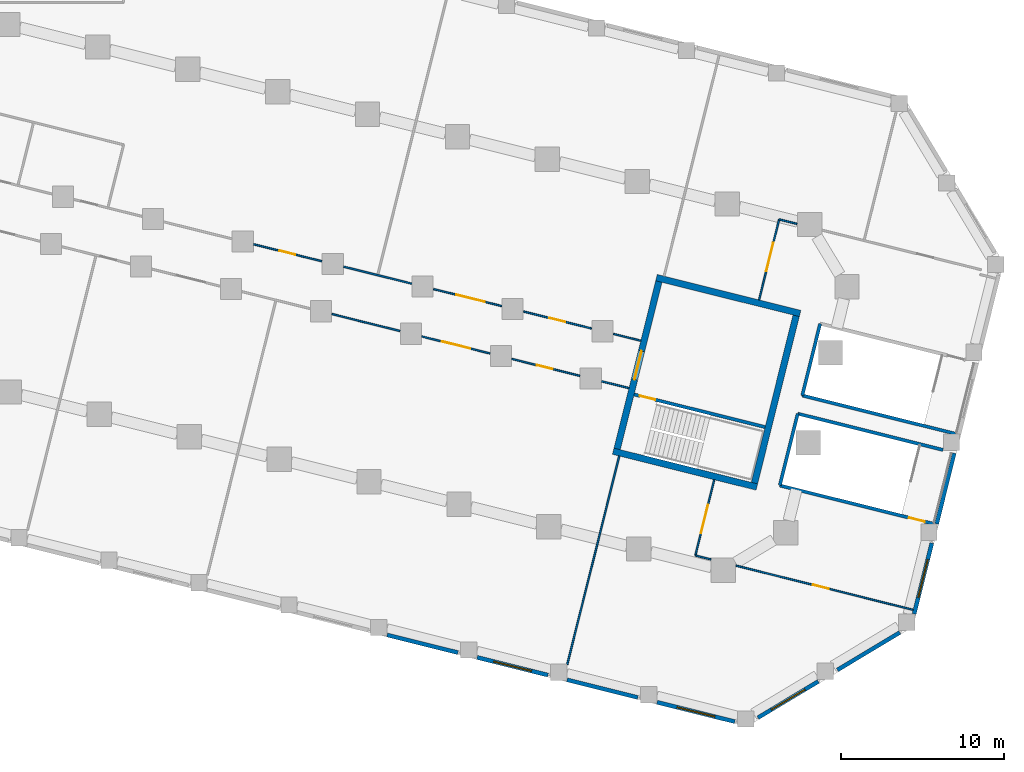
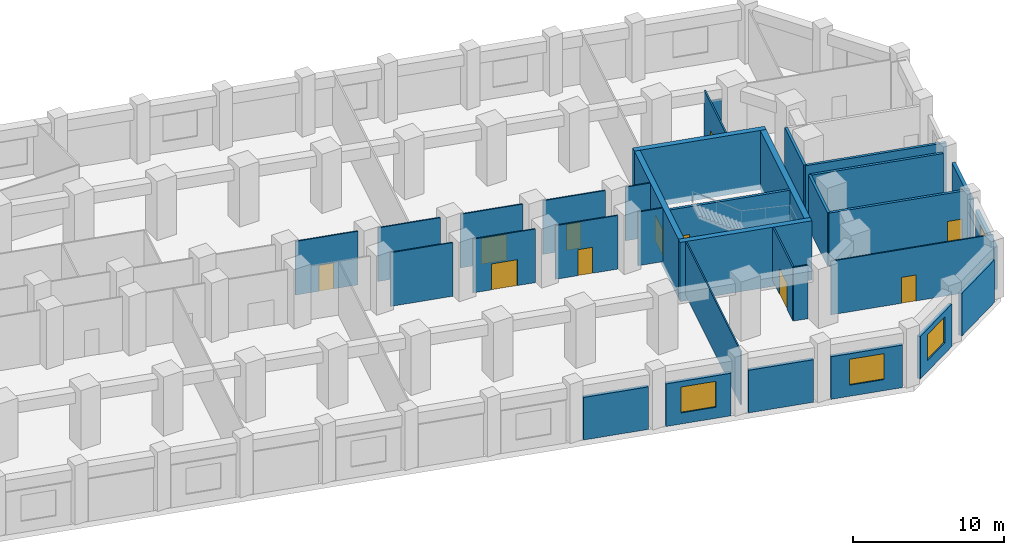
# One storey, part 7 of 13: 33 walls, 11 doors, 4 windows, 15 openings.
"""IFC4 building model written with IfcOpenShell, lengths in metres."""

from ifc_helpers import new_model, si_unit, direction, frame, frame_2d, origin, place, context, subcontext, project, spatial, rectangle, extrude, material, layer, layer_set, type_object, element, fill, save


model = new_model("IFC4")

# Units and contexts
model_context = context("Model", 3, precision=1e-05, world=origin(), true_north=direction((0.0, 1.0)))
body_context = subcontext(model_context, "Body", "Model", "MODEL_VIEW")
ifc_project = project(units=[si_unit("LENGTHUNIT", "METRE"), si_unit("AREAUNIT", "SQUARE_METRE"), si_unit("VOLUMEUNIT", "CUBIC_METRE"), si_unit("PLANEANGLEUNIT", "RADIAN"), si_unit("MASSUNIT", "GRAM", prefix="KILO")], contexts=[model_context])

# Site, building, storey
site_placement = place(None, origin())
site = spatial("IfcSite", under=ifc_project, at=site_placement, CompositionType="ELEMENT")
building_placement = place(site_placement, origin())
building = spatial("IfcBuilding", under=site, at=building_placement, Name="Meshkara Civic Tower", CompositionType="ELEMENT")
storey_placement = place(building_placement, frame((0.0, 0.0, 28.199951171875)))
storey = spatial("IfcBuildingStorey", under=building, at=storey_placement, Name="L05", CompositionType="ELEMENT", Elevation=28.199951171875)

# Wall, opening, door
ifc_material_1 = material(Name="Corridor wall 100")
ifc_layer_1 = layer(ifc_material_1, 0.10009765625)
ifc_layer_set_1 = layer_set([ifc_layer_1], Name="Corridor wall 100")
wall_type_1 = type_object("IfcWallType", Name="Corridor wall 100", PredefinedType="PARTITIONING", material=ifc_layer_set_1)
wall_1_placement = place(storey_placement, frame((58.194091796875, -1.214111328125, 0.0), z_axis=(0.0, 0.0, 1.0), x_axis=(-0.970325134426, 0.241803915396, 0.0)))
wall_1 = element("IfcWall", 1, at=wall_1_placement, inside=storey, type_object=wall_type_1, Name="L05-R060", PredefinedType="PARTITIONING", context=body_context, shape_type="SweptSolid", body=[
    extrude(rectangle(XDim=4.318359375, YDim=0.10009765625, at=frame_2d((2.1591796875, 0.0))), origin(), (0.0, 0.0, 1.0), 4.35009765625),
])
opening_1_placement = place(wall_1_placement, frame((1.679931640625, 0.0, 0.0)))
opening_1 = element("IfcOpeningElement", 2, at=opening_1_placement, cuts=wall_1, Name="Opening L05-P010", PredefinedType="OPENING", context=body_context, shape_type="SweptSolid", body=[
    extrude(rectangle(XDim=1.0, YDim=2.10009765625, at=frame_2d((0.5, 1.050048828125))), frame((0.0, 0.06005859375, 0.0), z_axis=(0.0, -1.0, 0.0), x_axis=(1.0, 0.0, 0.0)), (0.0, 0.0, 1.0), 0.1201171875),
])
ifc_material_2 = material(Name="Door 1000 x 2100")
door_type_1 = type_object("IfcDoorType", Name="Door 1000 x 2100", OperationType="SINGLE_SWING_LEFT", PredefinedType="DOOR", material=ifc_material_2)
door_1_placement = place(opening_1_placement, origin())
door_1 = element("IfcDoor", 3, at=door_1_placement, inside=storey, type_object=door_type_1, Name="L05-P010", OperationType="SINGLE_SWING_LEFT", OverallHeight=2.10009765625, OverallWidth=1.0, PredefinedType="DOOR", context=body_context, shape_type="SweptSolid", body=[
    extrude(rectangle(XDim=1.0, YDim=2.10009765625, at=frame_2d((0.5, 1.050048828125))), frame((0.0, 0.02490234375, 0.0), z_axis=(0.0, -1.0, 0.0), x_axis=(1.0, 0.0, 0.0)), (0.0, 0.0, 1.0), 0.050048828125),
])
fill(opening_1, door_1)

# Walls
wall_2_placement = place(storey_placement, frame((58.80908203125, -4.4599609375, 0.0), z_axis=(0.0, 0.0, 1.0), x_axis=(0.970335093604, -0.241763947107, 0.0)))
element("IfcWall", 4, at=wall_2_placement, inside=storey, type_object=wall_type_1, Name="L05-R061", PredefinedType="PARTITIONING", context=body_context, shape_type="SweptSolid", body=[
    extrude(rectangle(XDim=4.318115234375, YDim=0.10009765625, at=frame_2d((2.1591796875, 0.0))), origin(), (0.0, 0.0, 1.0), 4.35009765625),
])
wall_3_placement = place(storey_placement, frame((59.533935546875, -1.548095703125, 0.0), z_axis=(0.0, 0.0, 1.0), x_axis=(0.970298563138, -0.241910517285, 0.0)))
element("IfcWall", 5, at=wall_3_placement, inside=storey, type_object=wall_type_1, Name="L05-R062", PredefinedType="PARTITIONING", context=body_context, shape_type="SweptSolid", body=[
    extrude(rectangle(XDim=4.3193359375, YDim=0.10009765625, at=frame_2d((2.15966796875, 0.0))), origin(), (0.0, 0.0, 1.0), 4.35009765625),
])

# Wall, opening, door
wall_4_placement = place(storey_placement, frame((64.339111328125, -5.839111328125, 0.0), z_axis=(0.0, 0.0, 1.0), x_axis=(0.970348308202, -0.24171090329, 0.0)))
wall_4 = element("IfcWall", 6, at=wall_4_placement, inside=storey, type_object=wall_type_1, Name="L05-R063", PredefinedType="PARTITIONING", context=body_context, shape_type="SweptSolid", body=[
    extrude(rectangle(XDim=4.319091796875, YDim=0.10009765625, at=frame_2d((2.15966796875, 0.0))), origin(), (0.0, 0.0, 1.0), 4.35009765625),
])
opening_2_placement = place(wall_4_placement, frame((1.280029296875, 0.0, 0.0)))
opening_2 = element("IfcOpeningElement", 7, at=opening_2_placement, cuts=wall_4, Name="Opening L05-P004", PredefinedType="OPENING", context=body_context, shape_type="SweptSolid", body=[
    extrude(rectangle(XDim=1.800048828125, YDim=2.10009765625, at=frame_2d((0.89990234375, 1.050048828125))), frame((0.0, 0.06005859375, 0.0), z_axis=(0.0, -1.0, 0.0), x_axis=(1.0, 0.0, 0.0)), (0.0, 0.0, 1.0), 0.1201171875),
])
ifc_material_3 = material(Name="Door pair 1800 x 2100")
door_type_2 = type_object("IfcDoorType", Name="Door pair 1800 x 2100", OperationType="SINGLE_SWING_LEFT", PredefinedType="DOOR", material=ifc_material_3)
door_2_placement = place(opening_2_placement, origin())
door_2 = element("IfcDoor", 8, at=door_2_placement, inside=storey, type_object=door_type_2, Name="L05-P004", OperationType="DOUBLE_DOOR_SINGLE_SWING", OverallHeight=2.10009765625, OverallWidth=1.800048828125, PredefinedType="DOOR", context=body_context, shape_type="SweptSolid", body=[
    extrude(rectangle(XDim=1.800048828125, YDim=2.10009765625, at=frame_2d((0.89990234375, 1.050048828125))), frame((0.0, 0.02490234375, 0.0), z_axis=(0.0, -1.0, 0.0), x_axis=(1.0, 0.0, 0.0)), (0.0, 0.0, 1.0), 0.050048828125),
])
fill(opening_2, door_2)

wall_5_placement = place(storey_placement, frame((69.256103515625, -3.971923828125, 0.0), z_axis=(0.0, 0.0, 1.0), x_axis=(-0.970298563138, 0.241910517285, 0.0)))
wall_5 = element("IfcWall", 9, at=wall_5_placement, inside=storey, type_object=wall_type_1, Name="L05-R064", PredefinedType="PARTITIONING", context=body_context, shape_type="SweptSolid", body=[
    extrude(rectangle(XDim=4.3193359375, YDim=0.10009765625, at=frame_2d((2.15966796875, 0.0))), origin(), (0.0, 0.0, 1.0), 4.35009765625),
])
opening_3_placement = place(wall_5_placement, frame((1.080078125, 0.0, 0.0)))
opening_3 = element("IfcOpeningElement", 10, at=opening_3_placement, cuts=wall_5, Name="Opening L05-P011", PredefinedType="OPENING", context=body_context, shape_type="SweptSolid", body=[
    extrude(rectangle(XDim=1.800048828125, YDim=2.10009765625, at=frame_2d((0.89990234375, 1.050048828125))), frame((0.0, 0.06005859375, 0.0), z_axis=(0.0, -1.0, 0.0), x_axis=(1.0, 0.0, 0.0)), (0.0, 0.0, 1.0), 0.1201171875),
])
door_3_placement = place(opening_3_placement, origin())
door_3 = element("IfcDoor", 11, at=door_3_placement, inside=storey, type_object=door_type_2, Name="L05-P011", OperationType="DOUBLE_DOOR_SINGLE_SWING", OverallHeight=2.10009765625, OverallWidth=1.800048828125, PredefinedType="DOOR", context=body_context, shape_type="SweptSolid", body=[
    extrude(rectangle(XDim=1.800048828125, YDim=2.10009765625, at=frame_2d((0.89990234375, 1.050048828125))), frame((0.0, 0.02490234375, 0.0), z_axis=(0.0, -1.0, 0.0), x_axis=(1.0, 0.0, 0.0)), (0.0, 0.0, 1.0), 0.050048828125),
])
fill(opening_3, door_3)

wall_6_placement = place(storey_placement, frame((69.8701171875, -7.218017578125, 0.0), z_axis=(0.0, 0.0, 1.0), x_axis=(0.970295255208, -0.241923784941, 0.0)))
wall_6 = element("IfcWall", 12, at=wall_6_placement, inside=storey, type_object=wall_type_1, Name="L05-R065", PredefinedType="PARTITIONING", context=body_context, shape_type="SweptSolid", body=[
    extrude(rectangle(XDim=4.3193359375, YDim=0.10009765625, at=frame_2d((2.15966796875, 0.0))), origin(), (0.0, 0.0, 1.0), 4.35009765625),
])
opening_4_placement = place(wall_6_placement, frame((1.580078125, 0.0, 0.0)))
opening_4 = element("IfcOpeningElement", 13, at=opening_4_placement, cuts=wall_6, Name="Opening L05-P005", PredefinedType="OPENING", context=body_context, shape_type="SweptSolid", body=[
    extrude(rectangle(XDim=1.0, YDim=2.10009765625, at=frame_2d((0.5, 1.050048828125))), frame((0.0, 0.06005859375, 0.0), z_axis=(0.0, -1.0, 0.0), x_axis=(1.0, 0.0, 0.0)), (0.0, 0.0, 1.0), 0.1201171875),
])
door_4_placement = place(opening_4_placement, origin())
door_4 = element("IfcDoor", 14, at=door_4_placement, inside=storey, type_object=door_type_1, Name="L05-P005", OperationType="SINGLE_SWING_LEFT", OverallHeight=2.10009765625, OverallWidth=1.0, PredefinedType="DOOR", context=body_context, shape_type="SweptSolid", body=[
    extrude(rectangle(XDim=1.0, YDim=2.10009765625, at=frame_2d((0.5, 1.050048828125))), frame((0.0, 0.02490234375, 0.0), z_axis=(0.0, -1.0, 0.0), x_axis=(1.0, 0.0, 0.0)), (0.0, 0.0, 1.0), 0.050048828125),
])
fill(opening_4, door_4)

wall_7_placement = place(storey_placement, frame((74.785888671875, -5.35107421875, 0.0), z_axis=(0.0, 0.0, 1.0), x_axis=(-0.970321828551, 0.241817181023, 0.0)))
wall_7 = element("IfcWall", 15, at=wall_7_placement, inside=storey, type_object=wall_type_1, Name="L05-R066", PredefinedType="PARTITIONING", context=body_context, shape_type="SweptSolid", body=[
    extrude(rectangle(XDim=4.318115234375, YDim=0.10009765625, at=frame_2d((2.1591796875, 0.0))), origin(), (0.0, 0.0, 1.0), 4.35009765625),
])
opening_5_placement = place(wall_7_placement, frame((1.679931640625, 0.0, 0.0)))
opening_5 = element("IfcOpeningElement", 16, at=opening_5_placement, cuts=wall_7, Name="Opening L05-P012", PredefinedType="OPENING", context=body_context, shape_type="SweptSolid", body=[
    extrude(rectangle(XDim=1.0, YDim=2.10009765625, at=frame_2d((0.5, 1.050048828125))), frame((0.0, 0.06005859375, 0.0), z_axis=(0.0, -1.0, 0.0), x_axis=(1.0, 0.0, 0.0)), (0.0, 0.0, 1.0), 0.1201171875),
])
door_5_placement = place(opening_5_placement, origin())
door_5 = element("IfcDoor", 17, at=door_5_placement, inside=storey, type_object=door_type_1, Name="L05-P012", OperationType="SINGLE_SWING_RIGHT", OverallHeight=2.10009765625, OverallWidth=1.0, PredefinedType="DOOR", context=body_context, shape_type="SweptSolid", body=[
    extrude(rectangle(XDim=1.0, YDim=2.10009765625, at=frame_2d((0.5, 1.050048828125))), frame((0.0, 0.02490234375, 0.0), z_axis=(0.0, -1.0, 0.0), x_axis=(1.0, 0.0, 0.0)), (0.0, 0.0, 1.0), 0.050048828125),
])
fill(opening_5, door_5)

# Walls
wall_8_placement = place(storey_placement, frame((75.40087890625, -8.596923828125, 0.0), z_axis=(0.0, 0.0, 1.0), x_axis=(0.970358012919, -0.241671940372, 0.0)))
element("IfcWall", 18, at=wall_8_placement, inside=storey, type_object=wall_type_1, Name="L05-R067", PredefinedType="PARTITIONING", context=body_context, shape_type="SweptSolid", body=[
    extrude(rectangle(XDim=1.7294921875, YDim=0.10009765625, at=frame_2d((0.86474609375, 0.0))), origin(), (0.0, 0.0, 1.0), 4.35009765625),
])
wall_9_placement = place(storey_placement, frame((77.804931640625, -6.10400390625, 0.0), z_axis=(0.0, 0.0, 1.0), x_axis=(-0.97025029366, 0.242104043031, 0.0)))
element("IfcWall", 19, at=wall_9_placement, inside=storey, type_object=wall_type_1, Name="L05-R068", PredefinedType="PARTITIONING", context=body_context, shape_type="SweptSolid", body=[
    extrude(rectangle(XDim=1.73046875, YDim=0.10009765625, at=frame_2d((0.865234375, 0.0))), origin(), (0.0, 0.0, 1.0), 4.35009765625),
])
wall_10_placement = place(storey_placement, frame((81.159912109375, -19.30810546875, 0.0), z_axis=(0.0, 0.0, 1.0), x_axis=(0.970258747404, -0.242070161495, 0.0)))
element("IfcWall", 20, at=wall_10_placement, inside=storey, type_object=wall_type_1, Name="L05-R069", PredefinedType="PARTITIONING", context=body_context, shape_type="SweptSolid", body=[
    extrude(rectangle(XDim=0.9873046875, YDim=0.10009765625, at=frame_2d((0.49365234375, 0.0))), origin(), (0.0, 0.0, 1.0), 4.35009765625),
])

# Wall, opening, door
wall_11_placement = place(storey_placement, frame((82.321044921875, -14.65087890625, 0.0), z_axis=(0.0, 0.0, 1.0), x_axis=(-0.241913228726, -0.970297887129, 0.0)))
wall_11 = element("IfcWall", 21, at=wall_11_placement, inside=storey, type_object=wall_type_1, Name="L05-R070", PredefinedType="PARTITIONING", context=body_context, shape_type="SweptSolid", body=[
    extrude(rectangle(XDim=4.7998046875, YDim=0.10009765625, at=frame_2d((2.39990234375, 0.0))), origin(), (0.0, 0.0, 1.0), 4.35009765625),
])
opening_6_placement = place(wall_11_placement, frame((1.580078125, 0.0, 0.0)))
opening_6 = element("IfcOpeningElement", 22, at=opening_6_placement, cuts=wall_11, Name="Opening L05-P002", PredefinedType="OPENING", context=body_context, shape_type="SweptSolid", body=[
    extrude(rectangle(XDim=1.800048828125, YDim=2.10009765625, at=frame_2d((0.89990234375, 1.050048828125))), frame((0.0, 0.06005859375, 0.0), z_axis=(0.0, -1.0, 0.0), x_axis=(1.0, 0.0, 0.0)), (0.0, 0.0, 1.0), 0.1201171875),
])
door_6_placement = place(opening_6_placement, origin())
door_6 = element("IfcDoor", 23, at=door_6_placement, inside=storey, type_object=door_type_2, Name="L05-P002", OperationType="DOUBLE_DOOR_SINGLE_SWING", OverallHeight=2.10009765625, OverallWidth=1.800048828125, PredefinedType="DOOR", context=body_context, shape_type="SweptSolid", body=[
    extrude(rectangle(XDim=1.800048828125, YDim=2.10009765625, at=frame_2d((0.89990234375, 1.050048828125))), frame((0.0, 0.02490234375, 0.0), z_axis=(0.0, -1.0, 0.0), x_axis=(1.0, 0.0, 0.0)), (0.0, 0.0, 1.0), 0.050048828125),
])
fill(opening_6, door_6)

wall_12_placement = place(storey_placement, frame((83.657958984375, -19.930908203125, 0.0), z_axis=(0.0, 0.0, 1.0), x_axis=(0.970304770319, -0.241885619034, 0.0)))
wall_12 = element("IfcWall", 24, at=wall_12_placement, inside=storey, type_object=wall_type_1, Name="L05-R071", PredefinedType="PARTITIONING", context=body_context, shape_type="SweptSolid", body=[
    extrude(rectangle(XDim=11.224609375, YDim=0.10009765625, at=frame_2d((5.6123046875, 0.0))), origin(), (0.0, 0.0, 1.0), 4.35009765625),
])
opening_7_placement = place(wall_12_placement, frame((4.8798828125, 0.0, 0.0)))
opening_7 = element("IfcOpeningElement", 25, at=opening_7_placement, cuts=wall_12, Name="Opening L05-P001", PredefinedType="OPENING", context=body_context, shape_type="SweptSolid", body=[
    extrude(rectangle(XDim=1.0, YDim=2.10009765625, at=frame_2d((0.5, 1.050048828125))), frame((0.0, 0.06005859375, 0.0), z_axis=(0.0, -1.0, 0.0), x_axis=(1.0, 0.0, 0.0)), (0.0, 0.0, 1.0), 0.1201171875),
])
door_7_placement = place(opening_7_placement, origin())
door_7 = element("IfcDoor", 26, at=door_7_placement, inside=storey, type_object=door_type_1, Name="L05-P001", OperationType="SINGLE_SWING_RIGHT", OverallHeight=2.10009765625, OverallWidth=1.0, PredefinedType="DOOR", context=body_context, shape_type="SweptSolid", body=[
    extrude(rectangle(XDim=1.0, YDim=2.10009765625, at=frame_2d((0.5, 1.050048828125))), frame((0.0, 0.02490234375, 0.0), z_axis=(0.0, -1.0, 0.0), x_axis=(1.0, 0.0, 0.0)), (0.0, 0.0, 1.0), 0.050048828125),
])
fill(opening_7, door_7)

wall_13_placement = place(storey_placement, frame((86.31298828125, 1.35888671875, 0.0), z_axis=(0.0, 0.0, 1.0), x_axis=(-0.241961080538, -0.970285955533, 0.0)))
wall_13 = element("IfcWall", 27, at=wall_13_placement, inside=storey, type_object=wall_type_1, Name="L05-R072", PredefinedType="PARTITIONING", context=body_context, shape_type="SweptSolid", body=[
    extrude(rectangle(XDim=5.099609375, YDim=0.10009765625, at=frame_2d((2.5498046875, 0.0))), origin(), (0.0, 0.0, 1.0), 4.35009765625),
])
opening_8_placement = place(wall_13_placement, frame((1.47998046875, 0.0, 0.0)))
opening_8 = element("IfcOpeningElement", 28, at=opening_8_placement, cuts=wall_13, Name="Opening L05-P013", PredefinedType="OPENING", context=body_context, shape_type="SweptSolid", body=[
    extrude(rectangle(XDim=1.800048828125, YDim=2.10009765625, at=frame_2d((0.89990234375, 1.050048828125))), frame((0.0, 0.06005859375, 0.0), z_axis=(0.0, -1.0, 0.0), x_axis=(1.0, 0.0, 0.0)), (0.0, 0.0, 1.0), 0.1201171875),
])
door_8_placement = place(opening_8_placement, origin())
door_8 = element("IfcDoor", 29, at=door_8_placement, inside=storey, type_object=door_type_2, Name="L05-P013", OperationType="DOUBLE_DOOR_SINGLE_SWING", OverallHeight=2.10009765625, OverallWidth=1.800048828125, PredefinedType="DOOR", context=body_context, shape_type="SweptSolid", body=[
    extrude(rectangle(XDim=1.800048828125, YDim=2.10009765625, at=frame_2d((0.89990234375, 1.050048828125))), frame((0.0, 0.02490234375, 0.0), z_axis=(0.0, -1.0, 0.0), x_axis=(1.0, 0.0, 0.0)), (0.0, 0.0, 1.0), 0.050048828125),
])
fill(opening_8, door_8)

# Walls
wall_14_placement = place(storey_placement, frame((87.416015625, 1.083984375, 0.0), z_axis=(0.0, 0.0, 1.0), x_axis=(-0.970319109457, 0.241828091467, 0.0)))
element("IfcWall", 30, at=wall_14_placement, inside=storey, type_object=wall_type_1, Name="L05-R074", PredefinedType="PARTITIONING", context=body_context, shape_type="SweptSolid", body=[
    extrude(rectangle(XDim=1.13671875, YDim=0.10009765625, at=frame_2d((0.568359375, 0.0))), origin(), (0.0, 0.0, 1.0), 3.449951171875),
])
ifc_material_4 = material(Name="Concrete C80", Category="concrete")
ifc_layer_2 = layer(ifc_material_4, 0.39990234375)
ifc_layer_set_2 = layer_set([ifc_layer_2], Name="End core ring wall 400 C80")
wall_type_2 = type_object("IfcWallType", Name="End core ring wall 400 C80", PredefinedType="SHEAR", material=ifc_layer_set_2)
wall_15_placement = place(storey_placement, frame((76.111083984375, -12.89599609375, -0.449951171875), z_axis=(0.0, 0.0, 1.0), x_axis=(0.970311127573, -0.241860115992, 0.0)))
element("IfcWall", 31, at=wall_15_placement, inside=storey, type_object=wall_type_2, Name="L05-C031", PredefinedType="SHEAR", context=body_context, shape_type="SweptSolid", body=[
    extrude(rectangle(XDim=9.10009765625, YDim=0.39990234375, at=frame_2d((4.550048828125, 0.0))), origin(), (0.0, 0.0, 1.0), 4.800048828125),
])
wall_16_placement = place(storey_placement, frame((78.77197265625, -2.222900390625, -0.449951171875), z_axis=(0.0, 0.0, 1.0), x_axis=(0.970306400786, -0.241879078453, 0.0)))
element("IfcWall", 32, at=wall_16_placement, inside=storey, type_object=wall_type_2, Name="L05-C032", PredefinedType="SHEAR", context=body_context, shape_type="SweptSolid", body=[
    extrude(rectangle(XDim=9.100341796875, YDim=0.39990234375, at=frame_2d((4.55029296875, 0.0))), origin(), (0.0, 0.0, 1.0), 4.800048828125),
])

# Wall, opening, door
wall_17_placement = place(storey_placement, frame((76.35302734375, -12.75, -0.449951171875), z_axis=(0.0, 0.0, 1.0), x_axis=(0.241977390218, 0.970281888228, 0.0)))
wall_17 = element("IfcWall", 33, at=wall_17_placement, inside=storey, type_object=wall_type_2, Name="L05-C033", PredefinedType="SHEAR", context=body_context, shape_type="SweptSolid", body=[
    extrude(rectangle(XDim=10.599853515625, YDim=0.39990234375, at=frame_2d((5.2998046875, 0.0))), origin(), (0.0, 0.0, 1.0), 4.800048828125),
])
opening_9_placement = place(wall_17_placement, frame((4.39990234375, 0.0, 0.449951171875)))
opening_9 = element("IfcOpeningElement", 34, at=opening_9_placement, cuts=wall_17, Name="Opening L05-K202", PredefinedType="OPENING", context=body_context, shape_type="SweptSolid", body=[
    extrude(rectangle(XDim=1.800048828125, YDim=2.10009765625, at=frame_2d((0.89990234375, 1.050048828125))), frame((0.0, 0.2099609375, 0.0), z_axis=(0.0, -1.0, 0.0), x_axis=(1.0, 0.0, 0.0)), (0.0, 0.0, 1.0), 0.419921875),
])
ifc_material_5 = material(Name="Fire-rated door leaf in steel frame", Category="steel")
door_type_3 = type_object("IfcDoorType", Name="Core double door 1800 EI 60", OperationType="DOUBLE_DOOR_SINGLE_SWING", PredefinedType="DOOR", material=ifc_material_5)
door_9_placement = place(opening_9_placement, origin())
door_9 = element("IfcDoor", 35, at=door_9_placement, inside=storey, type_object=door_type_3, Name="L05-K202", OperationType="DOUBLE_DOOR_SINGLE_SWING", OverallHeight=2.10009765625, OverallWidth=1.800048828125, PredefinedType="DOOR", context=body_context, shape_type="SweptSolid", body=[
    extrude(rectangle(XDim=1.800048828125, YDim=2.10009765625, at=frame_2d((0.89990234375, 1.050048828125))), frame((0.0, 0.02490234375, 0.0), z_axis=(0.0, -1.0, 0.0), x_axis=(1.0, 0.0, 0.0)), (0.0, 0.0, 1.0), 0.050048828125),
])
fill(opening_9, door_9)

# Walls
wall_18_placement = place(storey_placement, frame((84.794921875, -14.85498046875, -0.449951171875), z_axis=(0.0, 0.0, 1.0), x_axis=(0.241890652548, 0.970303515509, 0.0)))
element("IfcWall", 36, at=wall_18_placement, inside=storey, type_object=wall_type_2, Name="L05-C034", PredefinedType="SHEAR", context=body_context, shape_type="SweptSolid", body=[
    extrude(rectangle(XDim=10.599609375, YDim=0.39990234375, at=frame_2d((5.2998046875, 0.0))), origin(), (0.0, 0.0, 1.0), 4.800048828125),
])
ifc_material_6 = material(Name="Stone cladding on insulated backing wall", Category="masonry")
ifc_layer_3 = layer(ifc_material_6, 0.25)
ifc_layer_set_3 = layer_set([ifc_layer_3], Name="PODIUM STONE WALL 250")
wall_type_3 = type_object("IfcWallType", Name="PODIUM STONE WALL 250", PredefinedType="SOLIDWALL", material=ifc_layer_set_3)
wall_19_placement = place(storey_placement, frame((62.2109375, -24.194091796875, 0.0), z_axis=(0.0, 0.0, 1.0), x_axis=(0.970289506684, -0.241946839653, 0.0)))
element("IfcWall", 37, at=wall_19_placement, inside=storey, type_object=wall_type_3, Name="Podium external wall", PredefinedType="SOLIDWALL", context=body_context, shape_type="SweptSolid", body=[
    extrude(rectangle(XDim=4.48828125, YDim=0.25, at=frame_2d((2.244140625, 0.0))), origin(), (0.0, 0.0, 1.0), 3.449951171875),
])

# Wall, opening, window
wall_20_placement = place(storey_placement, frame((67.741943359375, -25.572998046875, 0.0), z_axis=(0.0, 0.0, 1.0), x_axis=(0.970289506684, -0.241946839653, 0.0)))
wall_20 = element("IfcWall", 38, at=wall_20_placement, inside=storey, type_object=wall_type_3, Name="Podium external wall", PredefinedType="SOLIDWALL", context=body_context, shape_type="SweptSolid", body=[
    extrude(rectangle(XDim=4.48828125, YDim=0.25, at=frame_2d((2.244140625, 0.0))), origin(), (0.0, 0.0, 1.0), 3.449951171875),
])
opening_10_placement = place(wall_20_placement, frame((1.0439453125, 0.0, 0.89990234375)))
opening_10 = element("IfcOpeningElement", 39, at=opening_10_placement, cuts=wall_20, Name="Opening PW10", PredefinedType="OPENING", context=body_context, shape_type="SweptSolid", body=[
    extrude(rectangle(XDim=2.39990234375, YDim=2.10009765625, at=frame_2d((1.199951171875, 1.050048828125))), frame((0.0, 0.135009765625, 0.0), z_axis=(0.0, -1.0, 0.0), x_axis=(1.0, 0.0, 0.0)), (0.0, 0.0, 1.0), 0.27001953125),
])
ifc_material_7 = material(Name="Tinted double glazing", Category="glass")
window_type = type_object("IfcWindowType", Name="PODIUM WINDOW 2400x2100", PartitioningType="DOUBLE_PANEL_VERTICAL", PredefinedType="WINDOW", material=ifc_material_7)
window_1_placement = place(opening_10_placement, origin())
window_1 = element("IfcWindow", 40, at=window_1_placement, inside=storey, type_object=window_type, Name="Podium window", OverallHeight=2.10009765625, OverallWidth=2.39990234375, PartitioningType="DOUBLE_PANEL_VERTICAL", PredefinedType="WINDOW", context=body_context, shape_type="SweptSolid", body=[
    extrude(rectangle(XDim=2.39990234375, YDim=2.10009765625, at=frame_2d((1.199951171875, 1.050048828125))), frame((0.0, 0.030029296875, 0.0), z_axis=(0.0, -1.0, 0.0), x_axis=(1.0, 0.0, 0.0)), (0.0, 0.0, 1.0), 0.06005859375),
])
fill(opening_10, window_1)

# Wall
wall_21_placement = place(storey_placement, frame((73.27294921875, -26.951904296875, 0.0), z_axis=(0.0, 0.0, 1.0), x_axis=(0.970263990019, -0.242049147224, 0.0)))
element("IfcWall", 41, at=wall_21_placement, inside=storey, type_object=wall_type_3, Name="Podium external wall", PredefinedType="SOLIDWALL", context=body_context, shape_type="SweptSolid", body=[
    extrude(rectangle(XDim=4.487548828125, YDim=0.25, at=frame_2d((2.24365234375, 0.0))), origin(), (0.0, 0.0, 1.0), 3.449951171875),
])

# Wall, opening, window
wall_22_placement = place(storey_placement, frame((78.803955078125, -28.3310546875, 0.0), z_axis=(0.0, 0.0, 1.0), x_axis=(0.970305357377, -0.241883264089, 0.0)))
wall_22 = element("IfcWall", 42, at=wall_22_placement, inside=storey, type_object=wall_type_3, Name="Podium external wall", PredefinedType="SOLIDWALL", context=body_context, shape_type="SweptSolid", body=[
    extrude(rectangle(XDim=4.931640625, YDim=0.25, at=frame_2d((2.4658203125, 0.0))), origin(), (0.0, 0.0, 1.0), 3.449951171875),
])
opening_11_placement = place(wall_22_placement, frame((1.26611328125, 0.0, 0.89990234375)))
opening_11 = element("IfcOpeningElement", 43, at=opening_11_placement, cuts=wall_22, Name="Opening PW10", PredefinedType="OPENING", context=body_context, shape_type="SweptSolid", body=[
    extrude(rectangle(XDim=2.39990234375, YDim=2.10009765625, at=frame_2d((1.199951171875, 1.050048828125))), frame((0.0, 0.135009765625, 0.0), z_axis=(0.0, -1.0, 0.0), x_axis=(1.0, 0.0, 0.0)), (0.0, 0.0, 1.0), 0.27001953125),
])
window_2_placement = place(opening_11_placement, origin())
window_2 = element("IfcWindow", 44, at=window_2_placement, inside=storey, type_object=window_type, Name="Podium window", OverallHeight=2.10009765625, OverallWidth=2.39990234375, PartitioningType="DOUBLE_PANEL_VERTICAL", PredefinedType="WINDOW", context=body_context, shape_type="SweptSolid", body=[
    extrude(rectangle(XDim=2.39990234375, YDim=2.10009765625, at=frame_2d((1.199951171875, 1.050048828125))), frame((0.0, 0.030029296875, 0.0), z_axis=(0.0, -1.0, 0.0), x_axis=(1.0, 0.0, 0.0)), (0.0, 0.0, 1.0), 0.06005859375),
])
fill(opening_11, window_2)

wall_23_placement = place(storey_placement, frame((85.011962890625, -29.280029296875, 0.0), z_axis=(0.0, 0.0, 1.0), x_axis=(0.857124320069, 0.515109599936, 0.0)))
wall_23 = element("IfcWall", 45, at=wall_23_placement, inside=storey, type_object=wall_type_3, Name="Podium external wall", PredefinedType="SOLIDWALL", context=body_context, shape_type="SweptSolid", body=[
    extrude(rectangle(XDim=4.3271484375, YDim=0.25, at=frame_2d((2.16357421875, 0.0))), origin(), (0.0, 0.0, 1.0), 3.449951171875),
])
opening_12_placement = place(wall_23_placement, frame((0.964111328125, 0.0, 0.89990234375)))
opening_12 = element("IfcOpeningElement", 46, at=opening_12_placement, cuts=wall_23, Name="Opening PW10", PredefinedType="OPENING", context=body_context, shape_type="SweptSolid", body=[
    extrude(rectangle(XDim=2.39990234375, YDim=2.10009765625, at=frame_2d((1.199951171875, 1.050048828125))), frame((0.0, 0.135009765625, 0.0), z_axis=(0.0, -1.0, 0.0), x_axis=(1.0, 0.0, 0.0)), (0.0, 0.0, 1.0), 0.27001953125),
])
window_3_placement = place(opening_12_placement, origin())
window_3 = element("IfcWindow", 47, at=window_3_placement, inside=storey, type_object=window_type, Name="Podium window", OverallHeight=2.10009765625, OverallWidth=2.39990234375, PartitioningType="DOUBLE_PANEL_VERTICAL", PredefinedType="WINDOW", context=body_context, shape_type="SweptSolid", body=[
    extrude(rectangle(XDim=2.39990234375, YDim=2.10009765625, at=frame_2d((1.199951171875, 1.050048828125))), frame((0.0, 0.030029296875, 0.0), z_axis=(0.0, -1.0, 0.0), x_axis=(1.0, 0.0, 0.0)), (0.0, 0.0, 1.0), 0.06005859375),
])
fill(opening_12, window_3)

# Wall
wall_24_placement = place(storey_placement, frame((89.89794921875, -26.344970703125, 0.0), z_axis=(0.0, 0.0, 1.0), x_axis=(0.857102702083, 0.515145569797, 0.0)))
element("IfcWall", 48, at=wall_24_placement, inside=storey, type_object=wall_type_3, Name="Podium external wall", PredefinedType="SOLIDWALL", context=body_context, shape_type="SweptSolid", body=[
    extrude(rectangle(XDim=4.474365234375, YDim=0.25, at=frame_2d((2.2373046875, 0.0))), origin(), (0.0, 0.0, 1.0), 3.449951171875),
])

# Wall, opening, window
wall_25_placement = place(storey_placement, frame((94.614990234375, -22.89892578125, 0.0), z_axis=(0.0, 0.0, 1.0), x_axis=(0.241946839653, 0.970289506684, 0.0)))
wall_25 = element("IfcWall", 49, at=wall_25_placement, inside=storey, type_object=wall_type_3, Name="Podium external wall", PredefinedType="SOLIDWALL", context=body_context, shape_type="SweptSolid", body=[
    extrude(rectangle(XDim=4.48828125, YDim=0.25, at=frame_2d((2.244140625, 0.0))), origin(), (0.0, 0.0, 1.0), 3.449951171875),
])
opening_13_placement = place(wall_25_placement, frame((1.0439453125, 0.0, 0.89990234375)))
opening_13 = element("IfcOpeningElement", 50, at=opening_13_placement, cuts=wall_25, Name="Opening PW10", PredefinedType="OPENING", context=body_context, shape_type="SweptSolid", body=[
    extrude(rectangle(XDim=2.39990234375, YDim=2.10009765625, at=frame_2d((1.199951171875, 1.050048828125))), frame((0.0, 0.135009765625, 0.0), z_axis=(0.0, -1.0, 0.0), x_axis=(1.0, 0.0, 0.0)), (0.0, 0.0, 1.0), 0.27001953125),
])
window_4_placement = place(opening_13_placement, origin())
window_4 = element("IfcWindow", 51, at=window_4_placement, inside=storey, type_object=window_type, Name="Podium window", OverallHeight=2.10009765625, OverallWidth=2.39990234375, PartitioningType="DOUBLE_PANEL_VERTICAL", PredefinedType="WINDOW", context=body_context, shape_type="SweptSolid", body=[
    extrude(rectangle(XDim=2.39990234375, YDim=2.10009765625, at=frame_2d((1.199951171875, 1.050048828125))), frame((0.0, 0.030029296875, 0.0), z_axis=(0.0, -1.0, 0.0), x_axis=(1.0, 0.0, 0.0)), (0.0, 0.0, 1.0), 0.06005859375),
])
fill(opening_13, window_4)

# Walls
wall_26_placement = place(storey_placement, frame((95.9951171875, -17.367919921875, 0.0), z_axis=(0.0, 0.0, 1.0), x_axis=(0.241793032904, 0.970327846266, 0.0)))
element("IfcWall", 52, at=wall_26_placement, inside=storey, type_object=wall_type_3, Name="Podium external wall", PredefinedType="SOLIDWALL", context=body_context, shape_type="SweptSolid", body=[
    extrude(rectangle(XDim=4.487060546875, YDim=0.25, at=frame_2d((2.24365234375, 0.0))), origin(), (0.0, 0.0, 1.0), 3.449951171875),
])
ifc_material_8 = material(Name="Partition 100")
ifc_layer_4 = layer(ifc_material_8, 0.10009765625)
ifc_layer_set_4 = layer_set([ifc_layer_4], Name="Partition 100")
wall_type_4 = type_object("IfcWallType", Name="Partition 100", PredefinedType="PARTITIONING", material=ifc_layer_set_4)
wall_27_placement = place(storey_placement, frame((73.283935546875, -26.011962890625, 0.0), z_axis=(0.0, 0.0, 1.0), x_axis=(0.241935487918, 0.970292337229, 0.0)))
element("IfcWall", 53, at=wall_27_placement, inside=storey, type_object=wall_type_4, Name="L05-R108", PredefinedType="PARTITIONING", context=body_context, shape_type="SweptSolid", body=[
    extrude(rectangle(XDim=13.210205078125, YDim=0.10009765625, at=frame_2d((6.60498046875, 0.0))), origin(), (0.0, 0.0, 1.0), 4.35009765625),
])

# Wall, opening, door
ifc_material_9 = material(Name="Concrete C40/50", Category="concrete")
ifc_layer_5 = layer(ifc_material_9, 0.199951171875)
ifc_layer_set_5 = layer_set([ifc_layer_5], Name="Stair enclosure wall 200 C40/50")
wall_type_5 = type_object("IfcWallType", Name="Stair enclosure wall 200 C40/50", PredefinedType="SOLIDWALL", material=ifc_layer_set_5)
wall_28_placement = place(storey_placement, frame((77.39404296875, -9.403076171875, 0.0), z_axis=(0.0, 0.0, 1.0), x_axis=(0.970303192681, -0.241891947516, 0.0)))
wall_28 = element("IfcWall", 54, at=wall_28_placement, inside=storey, type_object=wall_type_5, Name="L05-C035", PredefinedType="SOLIDWALL", context=body_context, shape_type="SweptSolid", body=[
    extrude(rectangle(XDim=8.300537109375, YDim=0.199951171875, at=frame_2d((4.150390625, 0.0))), origin(), (0.0, 0.0, 1.0), 4.35009765625),
])
opening_14_placement = place(wall_28_placement, frame((0.35009765625, 0.0, 0.0)))
opening_14 = element("IfcOpeningElement", 55, at=opening_14_placement, cuts=wall_28, Name="Opening L05-K201", PredefinedType="OPENING", context=body_context, shape_type="SweptSolid", body=[
    extrude(rectangle(XDim=1.0, YDim=2.10009765625, at=frame_2d((0.5, 1.050048828125))), frame((0.0, 0.10986328125, 0.0), z_axis=(0.0, -1.0, 0.0), x_axis=(1.0, 0.0, 0.0)), (0.0, 0.0, 1.0), 0.219970703125),
])
ifc_material_10 = material(Name="Fire-rated door leaf in steel frame", Category="steel")
door_type_4 = type_object("IfcDoorType", Name="Stair door 1000 EI 120", OperationType="SINGLE_SWING_LEFT", PredefinedType="DOOR", material=ifc_material_10)
door_10_placement = place(opening_14_placement, origin())
door_10 = element("IfcDoor", 56, at=door_10_placement, inside=storey, type_object=door_type_4, Name="L05-K201", OperationType="SINGLE_SWING_LEFT", OverallHeight=2.10009765625, OverallWidth=1.0, PredefinedType="DOOR", context=body_context, shape_type="SweptSolid", body=[
    extrude(rectangle(XDim=1.0, YDim=2.10009765625, at=frame_2d((0.5, 1.050048828125))), frame((0.0, 0.02490234375, 0.0), z_axis=(0.0, -1.0, 0.0), x_axis=(1.0, 0.0, 0.0)), (0.0, 0.0, 1.0), 0.050048828125),
])
fill(opening_14, door_10)

# Walls
wall_29_placement = place(storey_placement, frame((86.35595703125, -15.001953125, 0.0), z_axis=(0.0, 0.0, 1.0), x_axis=(0.241778041767, 0.970331581739, 0.0)))
element("IfcWall", 57, at=wall_29_placement, inside=storey, type_object=wall_type_5, Name="L05-R073", PredefinedType="SOLIDWALL", context=body_context, shape_type="SweptSolid", body=[
    extrude(rectangle(XDim=4.550048828125, YDim=0.199951171875, at=frame_2d((2.27490234375, 0.0))), origin(), (0.0, 0.0, 1.0), 4.35009765625),
])
wall_30_placement = place(storey_placement, frame((87.4560546875, -10.5869140625, 0.0), z_axis=(0.0, 0.0, 1.0), x_axis=(0.97028891911, -0.241949196016, 0.0)))
element("IfcWall", 58, at=wall_30_placement, inside=storey, type_object=wall_type_5, Name="L05-R075", PredefinedType="SOLIDWALL", context=body_context, shape_type="SweptSolid", body=[
    extrude(rectangle(XDim=9.208740234375, YDim=0.199951171875, at=frame_2d((4.6044921875, 0.0))), origin(), (0.0, 0.0, 1.0), 4.35009765625),
])
wall_31_placement = place(storey_placement, frame((87.735107421875, -9.470947265625, 0.0), z_axis=(0.0, 0.0, 1.0), x_axis=(0.241727520474, 0.970344168759, 0.0)))
element("IfcWall", 59, at=wall_31_placement, inside=storey, type_object=wall_type_5, Name="L05-R076", PredefinedType="SOLIDWALL", context=body_context, shape_type="SweptSolid", body=[
    extrude(rectangle(XDim=4.550048828125, YDim=0.199951171875, at=frame_2d((2.27490234375, 0.0))), origin(), (0.0, 0.0, 1.0), 4.35009765625),
])

# Wall, opening, door
wall_32_placement = place(storey_placement, frame((86.35595703125, -15.001953125, 0.0), z_axis=(0.0, 0.0, 1.0), x_axis=(0.970288396191, -0.241951293066, 0.0)))
wall_32 = element("IfcWall", 60, at=wall_32_placement, inside=storey, type_object=wall_type_5, Name="L05-R079", PredefinedType="SOLIDWALL", context=body_context, shape_type="SweptSolid", body=[
    extrude(rectangle(XDim=9.7333984375, YDim=0.199951171875, at=frame_2d((4.86669921875, 0.0))), origin(), (0.0, 0.0, 1.0), 4.35009765625),
])
opening_15_placement = place(wall_32_placement, frame((8.18310546875, 0.0, 0.0)))
opening_15 = element("IfcOpeningElement", 61, at=opening_15_placement, cuts=wall_32, Name="Opening L05-P003", PredefinedType="OPENING", context=body_context, shape_type="SweptSolid", body=[
    extrude(rectangle(XDim=1.0, YDim=2.10009765625, at=frame_2d((0.5, 1.050048828125))), frame((0.0, 0.10986328125, 0.0), z_axis=(0.0, -1.0, 0.0), x_axis=(1.0, 0.0, 0.0)), (0.0, 0.0, 1.0), 0.219970703125),
])
door_11_placement = place(opening_15_placement, origin())
door_11 = element("IfcDoor", 62, at=door_11_placement, inside=storey, type_object=door_type_1, Name="L05-P003", OperationType="SINGLE_SWING_LEFT", OverallHeight=2.10009765625, OverallWidth=1.0, PredefinedType="DOOR", context=body_context, shape_type="SweptSolid", body=[
    extrude(rectangle(XDim=1.0, YDim=2.10009765625, at=frame_2d((0.5, 1.050048828125))), frame((0.0, 0.02490234375, 0.0), z_axis=(0.0, -1.0, 0.0), x_axis=(1.0, 0.0, 0.0)), (0.0, 0.0, 1.0), 0.050048828125),
])
fill(opening_15, door_11)

# Wall
wall_33_placement = place(storey_placement, frame((97.18310546875, -11.826904296875, 0.0), z_axis=(0.0, 0.0, 1.0), x_axis=(-0.970288335935, 0.241951534711, 0.0)))
element("IfcWall", 63, at=wall_33_placement, inside=storey, type_object=wall_type_5, Name="L05-R080", PredefinedType="SOLIDWALL", context=body_context, shape_type="SweptSolid", body=[
    extrude(rectangle(XDim=9.7373046875, YDim=0.199951171875, at=frame_2d((4.86865234375, 0.0))), origin(), (0.0, 0.0, 1.0), 4.35009765625),
])

save(model, "model.ifc")
